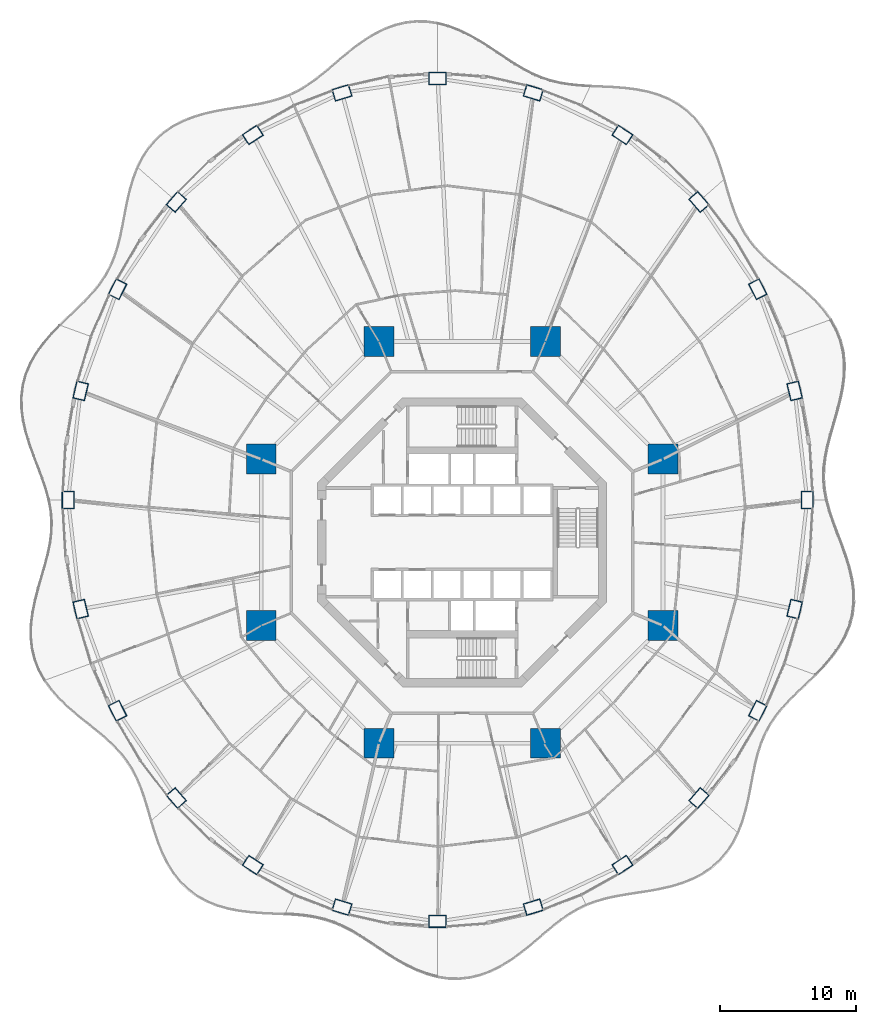
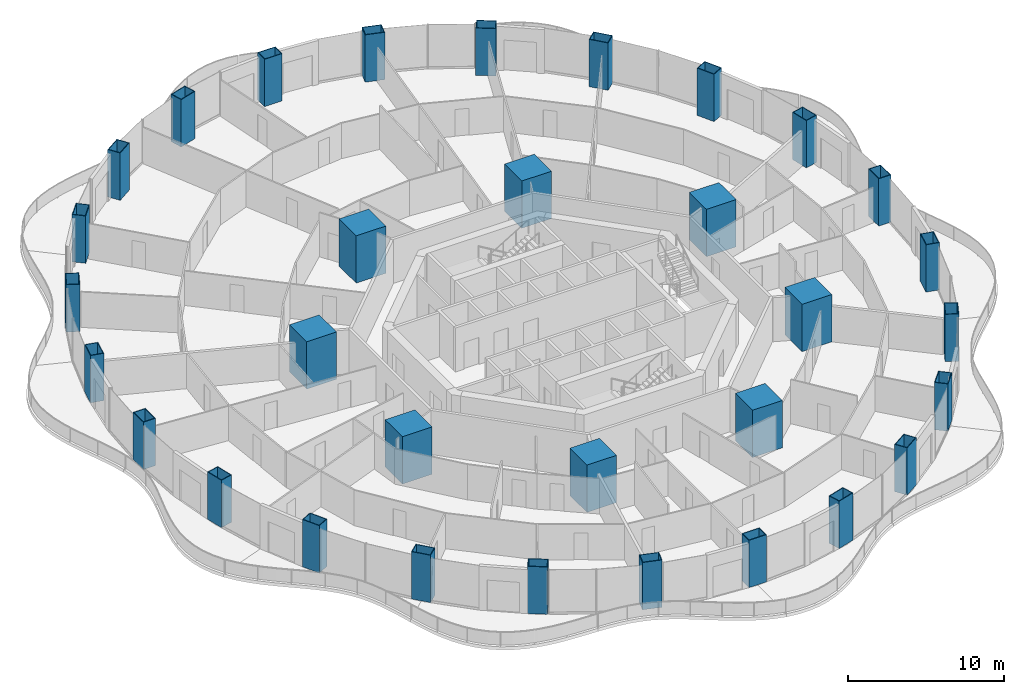
# One storey, part 1 of 22: 32 columns.
"""IFC4 building model written with IfcOpenShell, lengths in metres."""

from ifc_helpers import new_model, si_unit, direction, frame, origin, origin_2d, place, context, subcontext, project, spatial, rectangle, hollow_rectangle, extrude, material, material_profile, profile_set, type_object, element, save


model = new_model("IFC4")

# Units and contexts
model_context = context("Model", 3, precision=1e-05, world=origin(), true_north=direction((0.0, 1.0)))
body_context = subcontext(model_context, "Body", "Model", "MODEL_VIEW")
ifc_project = project(units=[si_unit("LENGTHUNIT", "METRE"), si_unit("AREAUNIT", "SQUARE_METRE"), si_unit("VOLUMEUNIT", "CUBIC_METRE"), si_unit("PLANEANGLEUNIT", "RADIAN"), si_unit("MASSUNIT", "GRAM", prefix="KILO")], contexts=[model_context])

# Site, building, storey
site_placement = place(None, origin())
site = spatial("IfcSite", under=ifc_project, at=site_placement, CompositionType="ELEMENT")
building_placement = place(site_placement, origin())
building = spatial("IfcBuilding", under=site, at=building_placement, Name="Nagisa Residences", CompositionType="ELEMENT")
storey_placement = place(building_placement, frame((0.0, 0.0, 80.699951171875)))
storey = spatial("IfcBuildingStorey", under=building, at=storey_placement, Name="L19", CompositionType="ELEMENT", Elevation=80.699951171875)

# Columns
ifc_material_1 = material(Name="Concrete C80", Category="concrete")
ifc_material_profile_1 = material_profile(ifc_material_1, rectangle(XDim=2.199951171875, YDim=2.199951171875, at=origin_2d()), Name="C80 2200x2200")
ifc_profile_set_1 = profile_set([ifc_material_profile_1], Name="Concrete C80")
column_type_1 = type_object("IfcColumnType", Name="Inner megacolumn C80 2200x2200", PredefinedType="COLUMN", material=ifc_profile_set_1)
for number, where, z_axis, x_axis, name in (
    (1, (14.781982421875, 6.123046875, 0.0), (0.0, 0.0, 1.0), (1.0, 0.0, 0.0), "col:L19:i1"),
    (2, (6.123046875, 14.781982421875, 0.0), (0.0, 0.0, 1.0), (1.0, 0.0, 0.0), "col:L19:i2"),
    (3, (-6.123046875, 14.781982421875, 0.0), (0.0, 0.0, 1.0), (1.0, 0.0, 0.0), "col:L19:i3"),
    (4, (-14.781982421875, 6.123046875, 0.0), (0.0, 0.0, 1.0), (1.0, 0.0, 0.0), "col:L19:i4"),
    (5, (-14.781982421875, -6.123046875, 0.0), (0.0, 0.0, 1.0), (1.0, 0.0, 0.0), "col:L19:i5"),
    (6, (-6.123046875, -14.781982421875, 0.0), (0.0, 0.0, 1.0), (1.0, 0.0, 0.0), "col:L19:i6"),
    (7, (6.123046875, -14.781982421875, 0.0), (0.0, 0.0, 1.0), (1.0, 0.0, 0.0), "col:L19:i7"),
    (8, (14.781982421875, -6.123046875, 0.0), (0.0, 0.0, 1.0), (1.0, 0.0, 0.0), "col:L19:i8"),
):
    element("IfcColumn", number, at=place(storey_placement, frame(where, z_axis=z_axis, x_axis=x_axis)), inside=storey, type_object=column_type_1, Name=name, PredefinedType="COLUMN", context=body_context, shape_type="SweptSolid", body=[
        extrude(rectangle(XDim=2.199951171875, YDim=2.199951171875, at=origin_2d()), origin(), (0.0, 0.0, 1.0), 3.699951171875),
    ])
ifc_material_2 = material(Name="Steel ASTM A572 Gr 50", Category="steel")
ifc_material_profile_2 = material_profile(ifc_material_2, hollow_rectangle(XDim=1.300048828125, YDim=0.89990234375, WallThickness=0.044921875, at=origin_2d()), Name="BX 1300x900x45")
ifc_profile_set_2 = profile_set([ifc_material_profile_2], Name="Steel ASTM A572 Gr 50")
column_type_2 = type_object("IfcColumnType", Name="Perimeter column BX 1300x900x45", PredefinedType="COLUMN", material=ifc_profile_set_2)
for number, where, z_axis, x_axis, name in (
    (9, (25.39501953125, 3.11767578125, 0.0), (0.0, 0.0, 1.0), (0.0, 1.0, 0.0), "col:L19:p00"),
    (10, (24.46826171875, 11.14501953125, 0.0), (0.0, 0.0, 1.0), (-0.229202013103, 0.973378876486, 0.0), "col:L19:p01"),
    (11, (21.75146484375, 18.625244140625, 0.0), (0.0, 0.0, 1.0), (-0.452462697578, 0.891783329795, 0.0), "col:L19:p02"),
    (12, (17.4296875, 25.048583984375, 0.0), (0.0, 0.0, 1.0), (-0.660114607735, 0.751164898445, 0.0), "col:L19:p03"),
    (13, (11.797607421875, 29.9775390625, 0.0), (0.0, 0.0, 1.0), (-0.835766105673, 0.54908561865, 0.0), "col:L19:p04"),
    (14, (5.238525390625, 33.075927734375, 0.0), (0.0, 0.0, 1.0), (-0.956524583408, 0.291651712384, 0.0), "col:L19:p05"),
    (15, (-1.800048828125, 34.1328125, 0.0), (0.0, 0.0, 1.0), (-1.0, 0.0, 0.0), "col:L19:p06"),
    (16, (-8.838623046875, 33.075927734375, 0.0), (0.0, 0.0, 1.0), (-0.956524583408, -0.291651712384, 0.0), "col:L19:p07"),
    (17, (-15.3974609375, 29.9775390625, 0.0), (0.0, 0.0, 1.0), (-0.835766105673, -0.54908561865, 0.0), "col:L19:p08"),
    (18, (-21.02978515625, 25.048583984375, 0.0), (0.0, 0.0, 1.0), (-0.660114607735, -0.751164898445, 0.0), "col:L19:p09"),
    (19, (-25.3515625, 18.625244140625, 0.0), (0.0, 0.0, 1.0), (-0.452462697578, -0.891783329795, 0.0), "col:L19:p10"),
    (20, (-28.068359375, 11.14501953125, 0.0), (0.0, 0.0, 1.0), (-0.229202013103, -0.973378876486, 0.0), "col:L19:p11"),
    (21, (-28.9951171875, 3.11767578125, 0.0), (0.0, 0.0, 1.0), (0.0, -1.0, 0.0), "col:L19:p12"),
    (22, (-28.068359375, -4.90966796875, 0.0), (0.0, 0.0, 1.0), (0.229202013103, -0.973378876486, 0.0), "col:L19:p13"),
    (23, (-25.3515625, -12.389892578125, 0.0), (0.0, 0.0, 1.0), (0.452462697578, -0.891783329795, 0.0), "col:L19:p14"),
    (24, (-21.02978515625, -18.813232421875, 0.0), (0.0, 0.0, 1.0), (0.660114607735, -0.751164898445, 0.0), "col:L19:p15"),
    (25, (-15.3974609375, -23.7421875, 0.0), (0.0, 0.0, 1.0), (0.835766105673, -0.54908561865, 0.0), "col:L19:p16"),
    (26, (-8.838623046875, -26.840576171875, 0.0), (0.0, 0.0, 1.0), (0.956524583408, -0.291651712384, 0.0), "col:L19:p17"),
    (27, (-1.800048828125, -27.897216796875, 0.0), (0.0, 0.0, 1.0), (1.0, 0.0, 0.0), "col:L19:p18"),
    (28, (5.238525390625, -26.840576171875, 0.0), (0.0, 0.0, 1.0), (0.956524583408, 0.291651712384, 0.0), "col:L19:p19"),
    (29, (11.797607421875, -23.7421875, 0.0), (0.0, 0.0, 1.0), (0.835766105673, 0.54908561865, 0.0), "col:L19:p20"),
    (30, (17.4296875, -18.813232421875, 0.0), (0.0, 0.0, 1.0), (0.660114607735, 0.751164898445, 0.0), "col:L19:p21"),
    (31, (21.75146484375, -12.389892578125, 0.0), (0.0, 0.0, 1.0), (0.452462697578, 0.891783329795, 0.0), "col:L19:p22"),
    (32, (24.46826171875, -4.90966796875, 0.0), (0.0, 0.0, 1.0), (0.229202013103, 0.973378876486, 0.0), "col:L19:p23"),
):
    element("IfcColumn", number, at=place(storey_placement, frame(where, z_axis=z_axis, x_axis=x_axis)), inside=storey, type_object=column_type_2, Name=name, PredefinedType="COLUMN", context=body_context, shape_type="SweptSolid", body=[
        extrude(hollow_rectangle(XDim=1.300048828125, YDim=0.89990234375, WallThickness=0.044921875, at=origin_2d()), origin(), (0.0, 0.0, 1.0), 3.699951171875),
    ])

save(model, "model.ifc")
